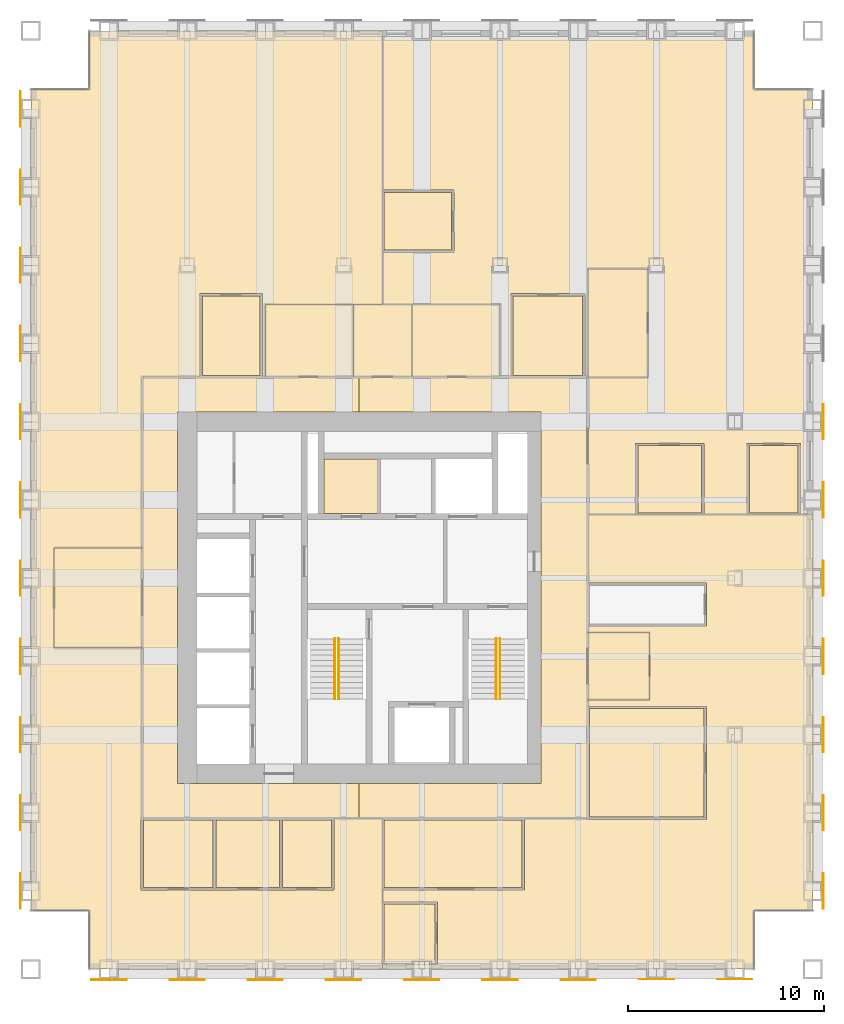
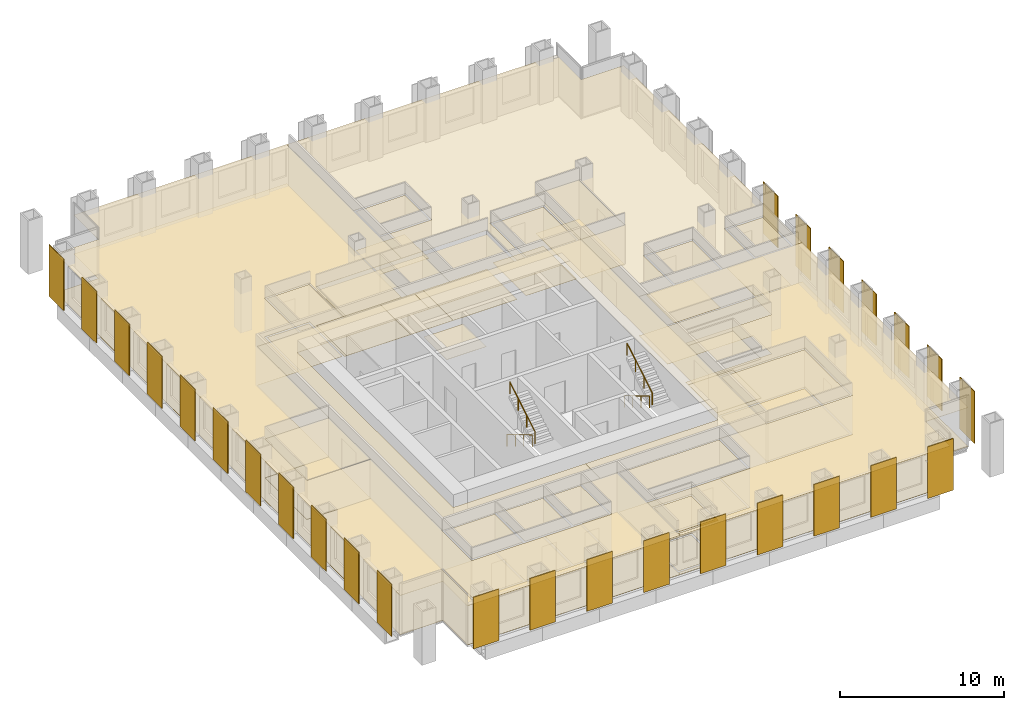
# One storey, part 13 of 14: 42 coverings, 27 shading devices, 4 railings.
"""IFC4 building model written with IfcOpenShell, lengths in metres."""

from ifc_helpers import new_model, si_unit, direction, frame, origin, origin_2d, place, context, subcontext, project, spatial, polyline, rectangle, circle, outline, extrude, material, layer, layer_set, type_object, element, save


model = new_model("IFC4")

# Units and contexts
model_context = context("Model", 3, precision=1e-05, world=origin(), true_north=direction((0.0, 1.0)))
body_context = subcontext(model_context, "Body", "Model", "MODEL_VIEW")
ifc_project = project(units=[si_unit("LENGTHUNIT", "METRE"), si_unit("AREAUNIT", "SQUARE_METRE"), si_unit("VOLUMEUNIT", "CUBIC_METRE"), si_unit("PLANEANGLEUNIT", "RADIAN"), si_unit("MASSUNIT", "GRAM", prefix="KILO")], contexts=[model_context])

# Site, building, storey
site_placement = place(None, origin())
site = spatial("IfcSite", under=ifc_project, at=site_placement, CompositionType="ELEMENT")
building_placement = place(site_placement, origin())
building = spatial("IfcBuilding", under=site, at=building_placement, Name="Rimbunsela Tower", CompositionType="ELEMENT")
storey_placement = place(building_placement, frame((0.0, 0.0, 226.199951171875)))
storey = spatial("IfcBuildingStorey", under=building, at=storey_placement, Name="L54", CompositionType="ELEMENT", Elevation=226.199951171875)

# Coverings
ifc_material_1 = material(Name="Nylon carpet tile", Category="textile")
ifc_layer_1 = layer(ifc_material_1, 0.010009765625)
ifc_layer_set_1 = layer_set([ifc_layer_1], Name="Carpet tile 10")
covering_type_1 = type_object("IfcCoveringType", Name="Carpet tile 10", PredefinedType="FLOORING", material=ifc_layer_set_1)
covering_1_placement = place(storey_placement, origin())
element("IfcCovering", 1, at=covering_1_placement, inside=storey, type_object=covering_type_1, Name="Floor finish Open office", PredefinedType="FLOORING", context=body_context, shape_type="SweptSolid", body=[
    extrude(outline(polyline([(19.449951171875, 12.050048828125), (22.75, 12.050048828125), (22.85009765625, 12.050048828125), (25.5, 12.050048828125), (25.5, 15.699951171875), (27.9990234375, 15.699951171875), (27.9990234375, 8.0), (15.699951171875, 8.0), (13.0, 8.0), (13.0, 11.0), (10.0, 11.0), (10.0, 53.0), (13.0, 53.0), (13.0, 56.0), (15.699951171875, 56.0), (27.9990234375, 56.0), (27.9990234375, 42.0), (22.0, 42.0), (22.0, 38.300048828125), (21.85009765625, 38.300048828125), (21.85009765625, 42.550048828125), (18.64990234375, 42.550048828125), (18.64990234375, 38.300048828125), (15.699951171875, 38.300048828125), (15.699951171875, 29.550048828125), (11.199951171875, 29.550048828125), (11.199951171875, 24.449951171875), (15.699951171875, 24.449951171875), (15.699951171875, 15.75), (15.64990234375, 15.75), (15.64990234375, 12.050048828125), (15.699951171875, 12.050048828125), (19.35009765625, 12.050048828125), (19.449951171875, 12.050048828125)])), origin(), (0.0, 0.0, 1.0), 0.010009765625),
])
covering_2_placement = place(storey_placement, origin())
element("IfcCovering", 2, at=covering_2_placement, inside=storey, type_object=covering_type_1, Name="Floor finish Open office", PredefinedType="FLOORING", context=body_context, shape_type="SweptSolid", body=[
    extrude(outline(polyline([(28.0009765625, 8.25), (30.800048828125, 8.25), (30.800048828125, 11.449951171875), (28.0009765625, 11.449951171875), (28.0009765625, 12.050048828125), (35.2509765625, 12.050048828125), (35.2509765625, 15.699951171875), (38.449951171875, 15.699951171875), (38.449951171875, 15.64990234375), (38.5, 15.64990234375), (44.550048828125, 15.64990234375), (44.550048828125, 21.448974609375), (38.5, 21.448974609375), (38.5, 21.77392578125), (41.64990234375, 21.77392578125), (41.64990234375, 25.22412109375), (38.5, 25.22412109375), (38.5, 25.549072265625), (44.550048828125, 25.549072265625), (44.550048828125, 27.7490234375), (38.5, 27.7490234375), (38.5, 31.2490234375), (50.0, 31.2490234375), (50.0, 11.0), (47.0, 11.0), (47.0, 8.0), (38.5, 8.0), (28.0009765625, 8.0), (28.0009765625, 8.25)])), origin(), (0.0, 0.0, 1.0), 0.010009765625),
])
covering_3_placement = place(storey_placement, origin())
element("IfcCovering", 3, at=covering_3_placement, inside=storey, type_object=covering_type_1, Name="Floor finish Reception", PredefinedType="FLOORING", context=body_context, shape_type="SweptSolid", body=[
    extrude(outline(polyline([(15.699951171875, 24.449951171875), (15.699951171875, 29.550048828125), (11.199951171875, 29.550048828125), (11.199951171875, 24.449951171875), (15.699951171875, 24.449951171875)])), origin(), (0.0, 0.0, 1.0), 0.010009765625),
])
covering_4_placement = place(storey_placement, origin())
element("IfcCovering", 4, at=covering_4_placement, inside=storey, type_object=covering_type_1, Name="Floor finish Reception", PredefinedType="FLOORING", context=body_context, shape_type="SweptSolid", body=[
    extrude(outline(polyline([(41.64990234375, 21.77392578125), (41.64990234375, 25.22412109375), (38.5, 25.22412109375), (38.5, 21.77392578125), (41.64990234375, 21.77392578125)])), origin(), (0.0, 0.0, 1.0), 0.010009765625),
])
covering_5_placement = place(storey_placement, origin())
element("IfcCovering", 5, at=covering_5_placement, inside=storey, type_object=covering_type_1, Name="Floor finish Reception", PredefinedType="FLOORING", context=body_context, shape_type="SweptSolid", body=[
    extrude(outline(polyline([(41.550048828125, 38.27587890625), (41.550048828125, 43.825927734375), (38.5, 43.825927734375), (38.5, 38.27587890625), (41.550048828125, 38.27587890625)])), origin(), (0.0, 0.0, 1.0), 0.010009765625),
])
covering_6_placement = place(storey_placement, origin())
element("IfcCovering", 6, at=covering_6_placement, inside=storey, type_object=covering_type_1, Name="Floor finish Meeting room", PredefinedType="FLOORING", context=body_context, shape_type="SweptSolid", body=[
    extrude(outline(polyline([(19.324951171875, 12.175048828125), (19.324951171875, 15.625), (15.77490234375, 15.625), (15.77490234375, 12.175048828125), (19.324951171875, 12.175048828125)])), origin(), (0.0, 0.0, 1.0), 0.010009765625),
])
covering_7_placement = place(storey_placement, origin())
element("IfcCovering", 7, at=covering_7_placement, inside=storey, type_object=covering_type_1, Name="Floor finish Pantry", PredefinedType="FLOORING", context=body_context, shape_type="SweptSolid", body=[
    extrude(outline(polyline([(22.72509765625, 12.175048828125), (22.72509765625, 15.625), (19.47509765625, 15.625), (19.47509765625, 12.175048828125), (22.72509765625, 12.175048828125)])), origin(), (0.0, 0.0, 1.0), 0.010009765625),
])
covering_8_placement = place(storey_placement, origin())
element("IfcCovering", 8, at=covering_8_placement, inside=storey, type_object=covering_type_1, Name="Floor finish Print and copy room", PredefinedType="FLOORING", context=body_context, shape_type="SweptSolid", body=[
    extrude(outline(polyline([(25.375, 12.175048828125), (25.375, 15.625), (22.875, 15.625), (22.875, 12.175048828125), (25.375, 12.175048828125)])), origin(), (0.0, 0.0, 1.0), 0.010009765625),
])
covering_9_placement = place(storey_placement, origin())
element("IfcCovering", 9, at=covering_9_placement, inside=storey, type_object=covering_type_1, Name="Floor finish Boardroom", PredefinedType="FLOORING", context=body_context, shape_type="SweptSolid", body=[
    extrude(outline(polyline([(35.1259765625, 12.175048828125), (35.1259765625, 15.625), (28.075927734375, 15.625), (28.075927734375, 12.175048828125), (35.1259765625, 12.175048828125)])), origin(), (0.0, 0.0, 1.0), 0.010009765625),
])
covering_10_placement = place(storey_placement, origin())
element("IfcCovering", 10, at=covering_10_placement, inside=storey, type_object=covering_type_1, Name="Floor finish Pantry", PredefinedType="FLOORING", context=body_context, shape_type="SweptSolid", body=[
    extrude(outline(polyline([(44.425048828125, 15.77490234375), (44.425048828125, 21.323974609375), (38.574951171875, 21.323974609375), (38.574951171875, 15.77490234375), (44.425048828125, 15.77490234375)])), origin(), (0.0, 0.0, 1.0), 0.010009765625),
])
covering_11_placement = place(storey_placement, origin())
element("IfcCovering", 11, at=covering_11_placement, inside=storey, type_object=covering_type_1, Name="Floor finish Office", PredefinedType="FLOORING", context=body_context, shape_type="SweptSolid", body=[
    extrude(outline(polyline([(21.72509765625, 38.375), (21.72509765625, 42.425048828125), (18.77490234375, 42.425048828125), (18.77490234375, 38.375), (21.72509765625, 38.375)])), origin(), (0.0, 0.0, 1.0), 0.010009765625),
])
covering_12_placement = place(storey_placement, origin())
element("IfcCovering", 12, at=covering_12_placement, inside=storey, type_object=covering_type_1, Name="Floor finish Office", PredefinedType="FLOORING", context=body_context, shape_type="SweptSolid", body=[
    extrude(outline(polyline([(30.675048828125, 8.375), (30.675048828125, 11.324951171875), (28.074951171875, 11.324951171875), (28.074951171875, 8.375), (30.675048828125, 8.375)])), origin(), (0.0, 0.0, 1.0), 0.010009765625),
])
covering_13_placement = place(storey_placement, origin())
element("IfcCovering", 13, at=covering_13_placement, inside=storey, type_object=covering_type_1, Name="Floor finish Meeting room", PredefinedType="FLOORING", context=body_context, shape_type="SweptSolid", body=[
    extrude(outline(polyline([(38.22509765625, 38.375), (38.22509765625, 42.425048828125), (34.675048828125, 42.425048828125), (34.675048828125, 38.375), (38.22509765625, 38.375)])), origin(), (0.0, 0.0, 1.0), 0.010009765625),
])
covering_14_placement = place(storey_placement, origin())
element("IfcCovering", 14, at=covering_14_placement, inside=storey, type_object=covering_type_1, Name="Floor finish Pantry", PredefinedType="FLOORING", context=body_context, shape_type="SweptSolid", body=[
    extrude(outline(polyline([(44.300048828125, 31.324951171875), (44.300048828125, 34.77490234375), (41.050048828125, 34.77490234375), (41.050048828125, 31.324951171875), (44.300048828125, 31.324951171875)])), origin(), (0.0, 0.0, 1.0), 0.010009765625),
])
covering_15_placement = place(storey_placement, origin())
element("IfcCovering", 15, at=covering_15_placement, inside=storey, type_object=covering_type_1, Name="Floor finish Print and copy room", PredefinedType="FLOORING", context=body_context, shape_type="SweptSolid", body=[
    extrude(outline(polyline([(49.25, 31.324951171875), (49.25, 34.77490234375), (46.75, 34.77490234375), (46.75, 31.324951171875), (49.25, 31.324951171875)])), origin(), (0.0, 0.0, 1.0), 0.010009765625),
])
covering_16_placement = place(storey_placement, origin())
element("IfcCovering", 16, at=covering_16_placement, inside=storey, type_object=covering_type_1, Name="Floor finish Office", PredefinedType="FLOORING", context=body_context, shape_type="SweptSolid", body=[
    extrude(outline(polyline([(31.52490234375, 44.77490234375), (31.52490234375, 47.72509765625), (28.074951171875, 47.72509765625), (28.074951171875, 44.77490234375), (31.52490234375, 44.77490234375)])), origin(), (0.0, 0.0, 1.0), 0.010009765625),
])
ifc_material_2 = material(Name="Mineral fibre ceiling tile", Category="gypsum")
ifc_layer_2 = layer(ifc_material_2, 0.02001953125)
ifc_layer_set_2 = layer_set([ifc_layer_2], Name="Ceiling 600 grid")
covering_type_2 = type_object("IfcCoveringType", Name="Ceiling 600 grid", PredefinedType="CEILING", material=ifc_layer_set_2)
covering_17_placement = place(storey_placement, frame((0.0, 0.0, 2.900146484375)))
element("IfcCovering", 17, at=covering_17_placement, inside=storey, type_object=covering_type_2, Name="Ceiling IT room", PredefinedType="CEILING", context=body_context, shape_type="SweptSolid", body=[
    extrude(outline(polyline([(27.800048828125, 31.300048828125), (27.800048828125, 34.10009765625), (25.0, 34.10009765625), (25.0, 31.300048828125), (27.800048828125, 31.300048828125)])), origin(), (0.0, 0.0, 1.0), 0.02001953125),
])
covering_18_placement = place(storey_placement, frame((0.0, 0.0, 2.900146484375)))
element("IfcCovering", 18, at=covering_18_placement, inside=storey, type_object=covering_type_2, Name="Ceiling Ring corridor", PredefinedType="CEILING", context=body_context, shape_type="SweptSolid", body=[
    extrude(outline(polyline([(15.699951171875, 38.300048828125), (26.800048828125, 38.300048828125), (26.800048828125, 36.5), (17.5, 36.5), (17.5, 17.5), (26.800048828125, 17.5), (26.800048828125, 15.699951171875), (15.699951171875, 15.699951171875), (15.699951171875, 38.300048828125)])), origin(), (0.0, 0.0, 1.0), 0.02001953125),
])
covering_19_placement = place(storey_placement, frame((0.0, 0.0, 2.900146484375)))
element("IfcCovering", 19, at=covering_19_placement, inside=storey, type_object=covering_type_2, Name="Ceiling Ring corridor", PredefinedType="CEILING", context=body_context, shape_type="SweptSolid", body=[
    extrude(outline(polyline([(38.5, 38.300048828125), (38.5, 15.699951171875), (26.800048828125, 15.699951171875), (26.800048828125, 17.5), (36.10009765625, 17.5), (36.10009765625, 36.5), (26.800048828125, 36.5), (26.800048828125, 38.300048828125), (38.5, 38.300048828125)])), origin(), (0.0, 0.0, 1.0), 0.02001953125),
])
covering_20_placement = place(storey_placement, frame((0.0, 0.0, 2.900146484375)))
element("IfcCovering", 20, at=covering_20_placement, inside=storey, type_object=covering_type_2, Name="Ceiling Open office", PredefinedType="CEILING", context=body_context, shape_type="SweptSolid", body=[
    extrude(outline(polyline([(19.449951171875, 12.050048828125), (22.75, 12.050048828125), (22.85009765625, 12.050048828125), (25.5, 12.050048828125), (25.5, 15.699951171875), (27.9990234375, 15.699951171875), (27.9990234375, 8.0), (15.699951171875, 8.0), (13.0, 8.0), (13.0, 11.0), (10.0, 11.0), (10.0, 53.0), (13.0, 53.0), (13.0, 56.0), (15.699951171875, 56.0), (27.9990234375, 56.0), (27.9990234375, 42.0), (22.0, 42.0), (22.0, 38.300048828125), (21.85009765625, 38.300048828125), (21.85009765625, 42.550048828125), (18.64990234375, 42.550048828125), (18.64990234375, 38.300048828125), (15.699951171875, 38.300048828125), (15.699951171875, 29.550048828125), (11.199951171875, 29.550048828125), (11.199951171875, 24.449951171875), (15.699951171875, 24.449951171875), (15.699951171875, 15.75), (15.64990234375, 15.75), (15.64990234375, 12.050048828125), (15.699951171875, 12.050048828125), (19.35009765625, 12.050048828125), (19.449951171875, 12.050048828125)])), origin(), (0.0, 0.0, 1.0), 0.02001953125),
])
covering_21_placement = place(storey_placement, frame((0.0, 0.0, 2.900146484375)))
element("IfcCovering", 21, at=covering_21_placement, inside=storey, type_object=covering_type_2, Name="Ceiling Open office", PredefinedType="CEILING", context=body_context, shape_type="SweptSolid", body=[
    extrude(outline(polyline([(28.0009765625, 8.25), (30.800048828125, 8.25), (30.800048828125, 11.449951171875), (28.0009765625, 11.449951171875), (28.0009765625, 12.050048828125), (35.2509765625, 12.050048828125), (35.2509765625, 15.699951171875), (38.449951171875, 15.699951171875), (38.449951171875, 15.64990234375), (38.5, 15.64990234375), (44.550048828125, 15.64990234375), (44.550048828125, 21.448974609375), (38.5, 21.448974609375), (38.5, 21.77392578125), (41.64990234375, 21.77392578125), (41.64990234375, 25.22412109375), (38.5, 25.22412109375), (38.5, 25.549072265625), (44.550048828125, 25.549072265625), (44.550048828125, 27.7490234375), (38.5, 27.7490234375), (38.5, 31.2490234375), (50.0, 31.2490234375), (50.0, 11.0), (47.0, 11.0), (47.0, 8.0), (38.5, 8.0), (28.0009765625, 8.0), (28.0009765625, 8.25)])), origin(), (0.0, 0.0, 1.0), 0.02001953125),
])
covering_22_placement = place(storey_placement, frame((0.0, 0.0, 2.900146484375)))
element("IfcCovering", 22, at=covering_22_placement, inside=storey, type_object=covering_type_2, Name="Ceiling Open office", PredefinedType="CEILING", context=body_context, shape_type="SweptSolid", body=[
    extrude(outline(polyline([(38.5, 38.300048828125), (38.35009765625, 38.300048828125), (38.35009765625, 42.550048828125), (34.550048828125, 42.550048828125), (34.550048828125, 38.300048828125), (34.0, 38.300048828125), (34.0, 42.0), (28.0009765625, 42.0), (28.0009765625, 44.64990234375), (31.64990234375, 44.64990234375), (31.64990234375, 47.85009765625), (28.0009765625, 47.85009765625), (28.0009765625, 56.0), (38.5, 56.0), (47.0, 56.0), (47.0, 53.0), (50.0, 53.0), (50.0, 31.2509765625), (49.375, 31.2509765625), (49.375, 34.89990234375), (46.625, 34.89990234375), (46.625, 31.2509765625), (44.425048828125, 31.2509765625), (44.425048828125, 34.89990234375), (40.925048828125, 34.89990234375), (40.925048828125, 31.2509765625), (38.5, 31.2509765625), (38.5, 38.27587890625), (41.550048828125, 38.27587890625), (41.550048828125, 43.825927734375), (38.5, 43.825927734375), (38.5, 38.300048828125)])), origin(), (0.0, 0.0, 1.0), 0.02001953125),
])
covering_23_placement = place(storey_placement, frame((0.0, 0.0, 2.900146484375)))
element("IfcCovering", 23, at=covering_23_placement, inside=storey, type_object=covering_type_2, Name="Ceiling Reception", PredefinedType="CEILING", context=body_context, shape_type="SweptSolid", body=[
    extrude(outline(polyline([(15.699951171875, 24.449951171875), (15.699951171875, 29.550048828125), (11.199951171875, 29.550048828125), (11.199951171875, 24.449951171875), (15.699951171875, 24.449951171875)])), origin(), (0.0, 0.0, 1.0), 0.02001953125),
])
covering_24_placement = place(storey_placement, frame((0.0, 0.0, 2.900146484375)))
element("IfcCovering", 24, at=covering_24_placement, inside=storey, type_object=covering_type_2, Name="Ceiling Reception", PredefinedType="CEILING", context=body_context, shape_type="SweptSolid", body=[
    extrude(outline(polyline([(41.64990234375, 21.77392578125), (41.64990234375, 25.22412109375), (38.5, 25.22412109375), (38.5, 21.77392578125), (41.64990234375, 21.77392578125)])), origin(), (0.0, 0.0, 1.0), 0.02001953125),
])
covering_25_placement = place(storey_placement, frame((0.0, 0.0, 2.900146484375)))
element("IfcCovering", 25, at=covering_25_placement, inside=storey, type_object=covering_type_2, Name="Ceiling Reception", PredefinedType="CEILING", context=body_context, shape_type="SweptSolid", body=[
    extrude(outline(polyline([(41.550048828125, 38.27587890625), (41.550048828125, 43.825927734375), (38.5, 43.825927734375), (38.5, 38.27587890625), (41.550048828125, 38.27587890625)])), origin(), (0.0, 0.0, 1.0), 0.02001953125),
])
covering_26_placement = place(storey_placement, frame((0.0, 0.0, 2.900146484375)))
element("IfcCovering", 26, at=covering_26_placement, inside=storey, type_object=covering_type_2, Name="Ceiling Meeting room", PredefinedType="CEILING", context=body_context, shape_type="SweptSolid", body=[
    extrude(outline(polyline([(19.324951171875, 12.175048828125), (19.324951171875, 15.625), (15.77490234375, 15.625), (15.77490234375, 12.175048828125), (19.324951171875, 12.175048828125)])), origin(), (0.0, 0.0, 1.0), 0.02001953125),
])
covering_27_placement = place(storey_placement, frame((0.0, 0.0, 2.900146484375)))
element("IfcCovering", 27, at=covering_27_placement, inside=storey, type_object=covering_type_2, Name="Ceiling Pantry", PredefinedType="CEILING", context=body_context, shape_type="SweptSolid", body=[
    extrude(outline(polyline([(22.72509765625, 12.175048828125), (22.72509765625, 15.625), (19.47509765625, 15.625), (19.47509765625, 12.175048828125), (22.72509765625, 12.175048828125)])), origin(), (0.0, 0.0, 1.0), 0.02001953125),
])
covering_28_placement = place(storey_placement, frame((0.0, 0.0, 2.900146484375)))
element("IfcCovering", 28, at=covering_28_placement, inside=storey, type_object=covering_type_2, Name="Ceiling Print and copy room", PredefinedType="CEILING", context=body_context, shape_type="SweptSolid", body=[
    extrude(outline(polyline([(25.375, 12.175048828125), (25.375, 15.625), (22.875, 15.625), (22.875, 12.175048828125), (25.375, 12.175048828125)])), origin(), (0.0, 0.0, 1.0), 0.02001953125),
])
covering_29_placement = place(storey_placement, frame((0.0, 0.0, 2.900146484375)))
element("IfcCovering", 29, at=covering_29_placement, inside=storey, type_object=covering_type_2, Name="Ceiling Boardroom", PredefinedType="CEILING", context=body_context, shape_type="SweptSolid", body=[
    extrude(outline(polyline([(35.1259765625, 12.175048828125), (35.1259765625, 15.625), (28.075927734375, 15.625), (28.075927734375, 12.175048828125), (35.1259765625, 12.175048828125)])), origin(), (0.0, 0.0, 1.0), 0.02001953125),
])
covering_30_placement = place(storey_placement, frame((0.0, 0.0, 2.900146484375)))
element("IfcCovering", 30, at=covering_30_placement, inside=storey, type_object=covering_type_2, Name="Ceiling Pantry", PredefinedType="CEILING", context=body_context, shape_type="SweptSolid", body=[
    extrude(outline(polyline([(44.425048828125, 15.77490234375), (44.425048828125, 21.323974609375), (38.574951171875, 21.323974609375), (38.574951171875, 15.77490234375), (44.425048828125, 15.77490234375)])), origin(), (0.0, 0.0, 1.0), 0.02001953125),
])
covering_31_placement = place(storey_placement, frame((0.0, 0.0, 2.900146484375)))
element("IfcCovering", 31, at=covering_31_placement, inside=storey, type_object=covering_type_2, Name="Ceiling Office", PredefinedType="CEILING", context=body_context, shape_type="SweptSolid", body=[
    extrude(outline(polyline([(21.72509765625, 38.375), (21.72509765625, 42.425048828125), (18.77490234375, 42.425048828125), (18.77490234375, 38.375), (21.72509765625, 38.375)])), origin(), (0.0, 0.0, 1.0), 0.02001953125),
])
covering_32_placement = place(storey_placement, frame((0.0, 0.0, 2.900146484375)))
element("IfcCovering", 32, at=covering_32_placement, inside=storey, type_object=covering_type_2, Name="Ceiling Office", PredefinedType="CEILING", context=body_context, shape_type="SweptSolid", body=[
    extrude(outline(polyline([(30.675048828125, 8.375), (30.675048828125, 11.324951171875), (28.074951171875, 11.324951171875), (28.074951171875, 8.375), (30.675048828125, 8.375)])), origin(), (0.0, 0.0, 1.0), 0.02001953125),
])
covering_33_placement = place(storey_placement, frame((0.0, 0.0, 2.900146484375)))
element("IfcCovering", 33, at=covering_33_placement, inside=storey, type_object=covering_type_2, Name="Ceiling Meeting room", PredefinedType="CEILING", context=body_context, shape_type="SweptSolid", body=[
    extrude(outline(polyline([(38.22509765625, 38.375), (38.22509765625, 42.425048828125), (34.675048828125, 42.425048828125), (34.675048828125, 38.375), (38.22509765625, 38.375)])), origin(), (0.0, 0.0, 1.0), 0.02001953125),
])
covering_34_placement = place(storey_placement, frame((0.0, 0.0, 2.900146484375)))
element("IfcCovering", 34, at=covering_34_placement, inside=storey, type_object=covering_type_2, Name="Ceiling Pantry", PredefinedType="CEILING", context=body_context, shape_type="SweptSolid", body=[
    extrude(outline(polyline([(44.300048828125, 31.324951171875), (44.300048828125, 34.77490234375), (41.050048828125, 34.77490234375), (41.050048828125, 31.324951171875), (44.300048828125, 31.324951171875)])), origin(), (0.0, 0.0, 1.0), 0.02001953125),
])
covering_35_placement = place(storey_placement, frame((0.0, 0.0, 2.900146484375)))
element("IfcCovering", 35, at=covering_35_placement, inside=storey, type_object=covering_type_2, Name="Ceiling Print and copy room", PredefinedType="CEILING", context=body_context, shape_type="SweptSolid", body=[
    extrude(outline(polyline([(49.25, 31.324951171875), (49.25, 34.77490234375), (46.75, 34.77490234375), (46.75, 31.324951171875), (49.25, 31.324951171875)])), origin(), (0.0, 0.0, 1.0), 0.02001953125),
])
covering_36_placement = place(storey_placement, frame((0.0, 0.0, 2.900146484375)))
element("IfcCovering", 36, at=covering_36_placement, inside=storey, type_object=covering_type_2, Name="Ceiling Office", PredefinedType="CEILING", context=body_context, shape_type="SweptSolid", body=[
    extrude(outline(polyline([(31.52490234375, 44.77490234375), (31.52490234375, 47.72509765625), (28.074951171875, 47.72509765625), (28.074951171875, 44.77490234375), (31.52490234375, 44.77490234375)])), origin(), (0.0, 0.0, 1.0), 0.02001953125),
])
ifc_material_3 = material(Name="Moisture-resistant plasterboard ceiling", Category="gypsum")
ifc_layer_3 = layer(ifc_material_3, 0.012451171875)
ifc_layer_set_3 = layer_set([ifc_layer_3], Name="Ceiling moisture-resistant board")
covering_type_3 = type_object("IfcCoveringType", Name="Ceiling moisture-resistant board", PredefinedType="CEILING", material=ifc_layer_set_3)
covering_37_placement = place(storey_placement, frame((0.0, 0.0, 2.60009765625)))
element("IfcCovering", 37, at=covering_37_placement, inside=storey, type_object=covering_type_3, Name="Ceiling Female WC", PredefinedType="CEILING", context=body_context, shape_type="SweptSolid", body=[
    extrude(outline(polyline([(26.5, 38.300048828125), (26.5, 42.0), (22.0, 42.0), (22.0, 38.300048828125), (26.5, 38.300048828125)])), origin(), (0.0, 0.0, 1.0), 0.02001953125),
])
covering_38_placement = place(storey_placement, frame((0.0, 0.0, 2.60009765625)))
element("IfcCovering", 38, at=covering_38_placement, inside=storey, type_object=covering_type_3, Name="Ceiling Accessible WC", PredefinedType="CEILING", context=body_context, shape_type="SweptSolid", body=[
    extrude(outline(polyline([(29.5, 38.300048828125), (29.5, 42.0), (26.5, 42.0), (26.5, 38.300048828125), (29.5, 38.300048828125)])), origin(), (0.0, 0.0, 1.0), 0.02001953125),
])
covering_39_placement = place(storey_placement, frame((0.0, 0.0, 2.60009765625)))
element("IfcCovering", 39, at=covering_39_placement, inside=storey, type_object=covering_type_3, Name="Ceiling Male WC", PredefinedType="CEILING", context=body_context, shape_type="SweptSolid", body=[
    extrude(outline(polyline([(34.0, 38.300048828125), (34.0, 42.0), (29.5, 42.0), (29.5, 38.300048828125), (34.0, 38.300048828125)])), origin(), (0.0, 0.0, 1.0), 0.02001953125),
])
ifc_material_4 = material(Name="Porcelain floor tile in adhesive bed", Category="ceramic")
ifc_layer_4 = layer(ifc_material_4, 0.02001953125)
ifc_layer_set_4 = layer_set([ifc_layer_4], Name="Porcelain tile 20")
covering_type_4 = type_object("IfcCoveringType", Name="Porcelain tile 20", PredefinedType="FLOORING", material=ifc_layer_set_4)
covering_40_placement = place(storey_placement, origin())
element("IfcCovering", 40, at=covering_40_placement, inside=storey, type_object=covering_type_4, Name="Floor finish Female WC", PredefinedType="FLOORING", context=body_context, shape_type="SweptSolid", body=[
    extrude(outline(polyline([(26.5, 38.300048828125), (26.5, 42.0), (22.0, 42.0), (22.0, 38.300048828125), (26.5, 38.300048828125)])), origin(), (0.0, 0.0, 1.0), 0.02001953125),
])
covering_41_placement = place(storey_placement, origin())
element("IfcCovering", 41, at=covering_41_placement, inside=storey, type_object=covering_type_4, Name="Floor finish Accessible WC", PredefinedType="FLOORING", context=body_context, shape_type="SweptSolid", body=[
    extrude(outline(polyline([(29.5, 38.300048828125), (29.5, 42.0), (26.5, 42.0), (26.5, 38.300048828125), (29.5, 38.300048828125)])), origin(), (0.0, 0.0, 1.0), 0.02001953125),
])
covering_42_placement = place(storey_placement, origin())
element("IfcCovering", 42, at=covering_42_placement, inside=storey, type_object=covering_type_4, Name="Floor finish Male WC", PredefinedType="FLOORING", context=body_context, shape_type="SweptSolid", body=[
    extrude(outline(polyline([(34.0, 38.300048828125), (34.0, 42.0), (29.5, 42.0), (29.5, 38.300048828125), (34.0, 38.300048828125)])), origin(), (0.0, 0.0, 1.0), 0.02001953125),
])

# Shading devices
ifc_material_5 = material(Name="Perforated aluminium, 35 % open area", Category="aluminium")
ifc_layer_5 = layer(ifc_material_5, 0.050048828125)
ifc_layer_set_5 = layer_set([ifc_layer_5], Name="Solar screen panel 1800")
shading_device_type = type_object("IfcShadingDeviceType", Name="Solar screen panel 1800", PredefinedType="USERDEFINED", material=ifc_layer_set_5)
for number, where, z_axis, x_axis, name in (
    (43, (14.0, 7.47509765625, 0.0), (0.0, 0.0, 1.0), (1.0, 0.0, 0.0), "Solar screen S L54"),
    (44, (18.0, 7.47509765625, 0.0), (0.0, 0.0, 1.0), (1.0, 0.0, 0.0), "Solar screen S L54"),
    (45, (22.0, 7.47509765625, 0.0), (0.0, 0.0, 1.0), (1.0, 0.0, 0.0), "Solar screen S L54"),
    (46, (26.0, 7.47509765625, 0.0), (0.0, 0.0, 1.0), (1.0, 0.0, 0.0), "Solar screen S L54"),
    (47, (30.0, 7.47509765625, 0.0), (0.0, 0.0, 1.0), (1.0, 0.0, 0.0), "Solar screen S L54"),
    (48, (34.0, 7.47509765625, 0.0), (0.0, 0.0, 1.0), (1.0, 0.0, 0.0), "Solar screen S L54"),
    (49, (38.0, 7.47509765625, 0.0), (0.0, 0.0, 1.0), (1.0, 0.0, 0.0), "Solar screen S L54"),
    (50, (42.0, 7.47509765625, 0.0), (0.0, 0.0, 1.0), (1.0, 0.0, 0.0), "Solar screen S L54"),
    (51, (46.0, 7.47509765625, 0.0), (0.0, 0.0, 1.0), (1.0, 0.0, 0.0), "Solar screen S L54"),
    (52, (50.52490234375, 12.0, 0.0), (0.0, 0.0, 1.0), (0.0, 1.0, 0.0), "Solar screen E L54"),
    (53, (50.52490234375, 16.0, 0.0), (0.0, 0.0, 1.0), (0.0, 1.0, 0.0), "Solar screen E L54"),
    (54, (50.52490234375, 20.0, 0.0), (0.0, 0.0, 1.0), (0.0, 1.0, 0.0), "Solar screen E L54"),
    (55, (50.52490234375, 24.0, 0.0), (0.0, 0.0, 1.0), (0.0, 1.0, 0.0), "Solar screen E L54"),
    (56, (50.52490234375, 28.0, 0.0), (0.0, 0.0, 1.0), (0.0, 1.0, 0.0), "Solar screen E L54"),
    (57, (50.52490234375, 32.0, 0.0), (0.0, 0.0, 1.0), (0.0, 1.0, 0.0), "Solar screen E L54"),
    (58, (50.52490234375, 36.0, 0.0), (0.0, 0.0, 1.0), (0.0, 1.0, 0.0), "Solar screen E L54"),
    (59, (9.47509765625, 12.0, 0.0), (0.0, 0.0, 1.0), (0.0, 1.0, 0.0), "Solar screen W L54"),
    (60, (9.47509765625, 16.0, 0.0), (0.0, 0.0, 1.0), (0.0, 1.0, 0.0), "Solar screen W L54"),
    (61, (9.47509765625, 20.0, 0.0), (0.0, 0.0, 1.0), (0.0, 1.0, 0.0), "Solar screen W L54"),
    (62, (9.47509765625, 24.0, 0.0), (0.0, 0.0, 1.0), (0.0, 1.0, 0.0), "Solar screen W L54"),
    (63, (9.47509765625, 28.0, 0.0), (0.0, 0.0, 1.0), (0.0, 1.0, 0.0), "Solar screen W L54"),
    (64, (9.47509765625, 32.0, 0.0), (0.0, 0.0, 1.0), (0.0, 1.0, 0.0), "Solar screen W L54"),
    (65, (9.47509765625, 36.0, 0.0), (0.0, 0.0, 1.0), (0.0, 1.0, 0.0), "Solar screen W L54"),
    (66, (9.47509765625, 40.0, 0.0), (0.0, 0.0, 1.0), (0.0, 1.0, 0.0), "Solar screen W L54"),
    (67, (9.47509765625, 44.0, 0.0), (0.0, 0.0, 1.0), (0.0, 1.0, 0.0), "Solar screen W L54"),
    (68, (9.47509765625, 48.0, 0.0), (0.0, 0.0, 1.0), (0.0, 1.0, 0.0), "Solar screen W L54"),
    (69, (9.47509765625, 52.0, 0.0), (0.0, 0.0, 1.0), (0.0, 1.0, 0.0), "Solar screen W L54"),
):
    element("IfcShadingDevice", number, at=place(storey_placement, frame(where, z_axis=z_axis, x_axis=x_axis)), inside=storey, type_object=shading_device_type, Name=name, ObjectType="SCREEN", PredefinedType="USERDEFINED", context=body_context, shape_type="SweptSolid", body=[
        extrude(rectangle(XDim=1.800048828125, YDim=0.050048828125, at=origin_2d()), origin(), (0.0, 0.0, 1.0), 3.85009765625),
    ])

# Railings
ifc_material_6 = material(Name="Stainless steel tube", Category="steel")
railing_type = type_object("IfcRailingType", Name="Stair handrail 900", PredefinedType="HANDRAIL", material=ifc_material_6)
railing_1_placement = place(storey_placement, frame((25.550048828125, 24.89990234375, 0.166748046875)))
element("IfcRailing", 70, at=railing_1_placement, inside=storey, type_object=railing_type, Name="Handrail ST-A flight 1", PredefinedType="HANDRAIL", context=body_context, shape_type="SweptSolid", body=[
    extrude(circle(Radius=0.02392578125, at=origin_2d()), frame((0.0, 0.0, 0.8759765625), z_axis=(0.0, -0.859290745958, 0.51148745235), x_axis=(1.0, 0.0, 0.0)), (0.0, 0.0, 1.0), 3.584228515625),
    extrude(circle(Radius=0.02099609375, at=origin_2d()), origin(), (0.0, 0.0, 1.0), 0.851806640625),
    extrude(circle(Radius=0.02099609375, at=origin_2d()), frame((0.0, -1.026611328125, 0.611083984375)), (0.0, 0.0, 1.0), 0.851806640625),
    extrude(circle(Radius=0.02099609375, at=origin_2d()), frame((0.0, -2.05322265625, 1.22216796875)), (0.0, 0.0, 1.0), 0.851806640625),
    extrude(circle(Radius=0.02099609375, at=origin_2d()), frame((0.0, -3.079833984375, 1.833251953125)), (0.0, 0.0, 1.0), 0.851806640625),
])
railing_2_placement = place(storey_placement, frame((25.75, 21.820068359375, 2.166748046875)))
element("IfcRailing", 71, at=railing_2_placement, inside=storey, type_object=railing_type, Name="Handrail ST-A flight 2", PredefinedType="HANDRAIL", context=body_context, shape_type="SweptSolid", body=[
    extrude(circle(Radius=0.02392578125, at=origin_2d()), frame((0.0, 0.0, 0.8759765625), z_axis=(0.0, 0.859290745958, 0.51148745235), x_axis=(-1.0, 0.0, 0.0)), (0.0, 0.0, 1.0), 3.584228515625),
    extrude(circle(Radius=0.02099609375, at=origin_2d()), origin(), (0.0, 0.0, 1.0), 0.851806640625),
    extrude(circle(Radius=0.02099609375, at=origin_2d()), frame((0.0, 1.026611328125, 0.611083984375)), (0.0, 0.0, 1.0), 0.851806640625),
    extrude(circle(Radius=0.02099609375, at=origin_2d()), frame((0.0, 2.05322265625, 1.22216796875)), (0.0, 0.0, 1.0), 0.851806640625),
    extrude(circle(Radius=0.02099609375, at=origin_2d()), frame((0.0, 3.079833984375, 1.833251953125)), (0.0, 0.0, 1.0), 0.851806640625),
])
railing_3_placement = place(storey_placement, frame((33.800048828125, 24.89990234375, 0.166748046875)))
element("IfcRailing", 72, at=railing_3_placement, inside=storey, type_object=railing_type, Name="Handrail ST-B flight 1", PredefinedType="HANDRAIL", context=body_context, shape_type="SweptSolid", body=[
    extrude(circle(Radius=0.02392578125, at=origin_2d()), frame((0.0, 0.0, 0.8759765625), z_axis=(0.0, -0.859290745958, 0.51148745235), x_axis=(1.0, 0.0, 0.0)), (0.0, 0.0, 1.0), 3.584228515625),
    extrude(circle(Radius=0.02099609375, at=origin_2d()), origin(), (0.0, 0.0, 1.0), 0.851806640625),
    extrude(circle(Radius=0.02099609375, at=origin_2d()), frame((0.0, -1.026611328125, 0.611083984375)), (0.0, 0.0, 1.0), 0.851806640625),
    extrude(circle(Radius=0.02099609375, at=origin_2d()), frame((0.0, -2.05322265625, 1.22216796875)), (0.0, 0.0, 1.0), 0.851806640625),
    extrude(circle(Radius=0.02099609375, at=origin_2d()), frame((0.0, -3.079833984375, 1.833251953125)), (0.0, 0.0, 1.0), 0.851806640625),
])
railing_4_placement = place(storey_placement, frame((34.0, 21.820068359375, 2.166748046875)))
element("IfcRailing", 73, at=railing_4_placement, inside=storey, type_object=railing_type, Name="Handrail ST-B flight 2", PredefinedType="HANDRAIL", context=body_context, shape_type="SweptSolid", body=[
    extrude(circle(Radius=0.02392578125, at=origin_2d()), frame((0.0, 0.0, 0.8759765625), z_axis=(0.0, 0.859290745958, 0.51148745235), x_axis=(-1.0, 0.0, 0.0)), (0.0, 0.0, 1.0), 3.584228515625),
    extrude(circle(Radius=0.02099609375, at=origin_2d()), origin(), (0.0, 0.0, 1.0), 0.851806640625),
    extrude(circle(Radius=0.02099609375, at=origin_2d()), frame((0.0, 1.026611328125, 0.611083984375)), (0.0, 0.0, 1.0), 0.851806640625),
    extrude(circle(Radius=0.02099609375, at=origin_2d()), frame((0.0, 2.05322265625, 1.22216796875)), (0.0, 0.0, 1.0), 0.851806640625),
    extrude(circle(Radius=0.02099609375, at=origin_2d()), frame((0.0, 3.079833984375, 1.833251953125)), (0.0, 0.0, 1.0), 0.851806640625),
])

save(model, "model.ifc")
